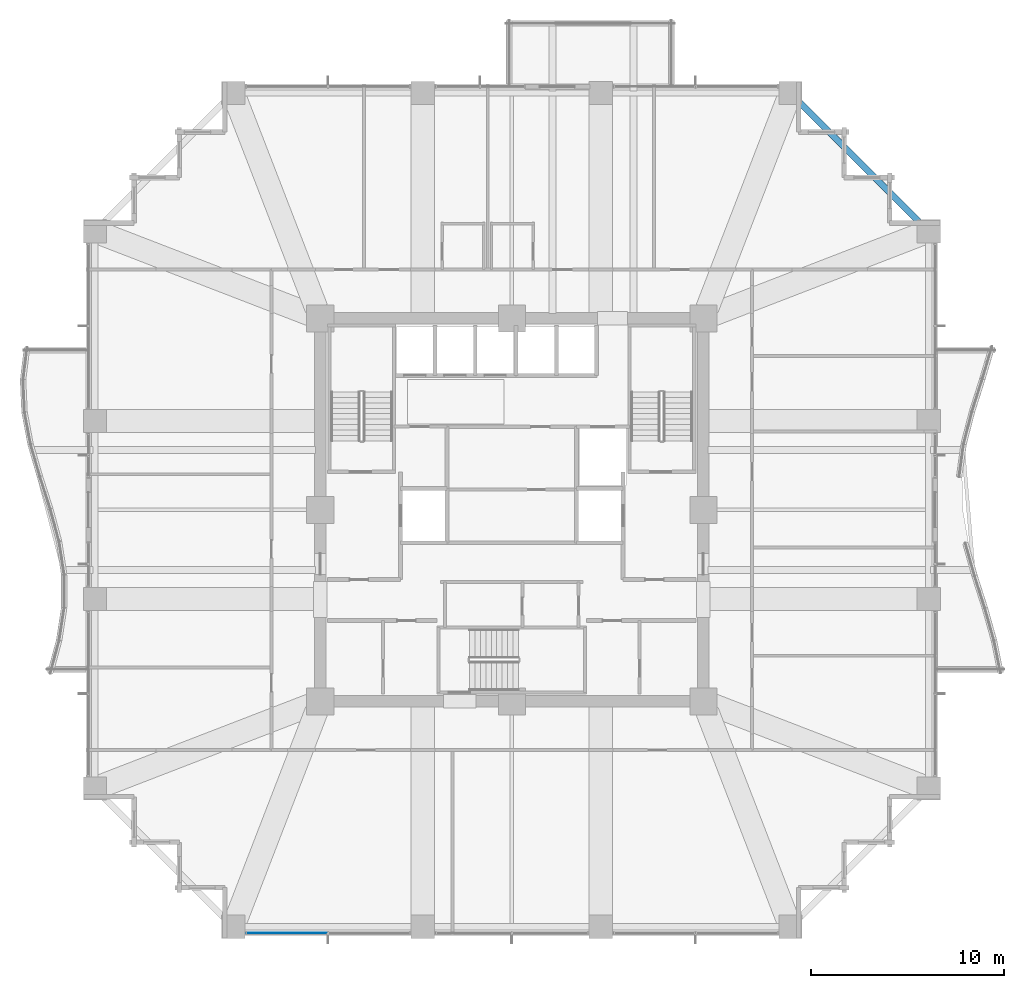
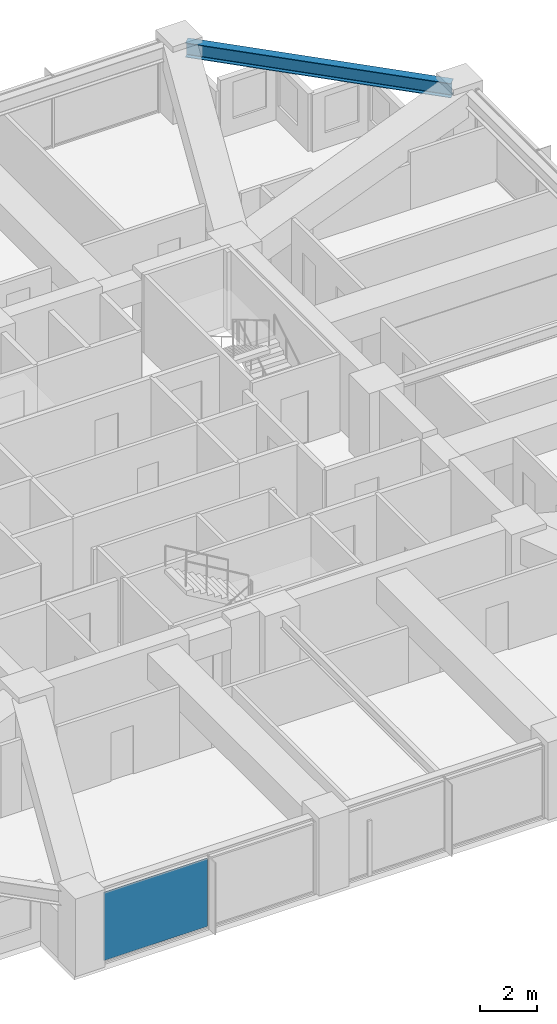
# One storey, part 27 of 39: 1 beam, 1 plate, 1 element without a shape of its own.
"""IFC4 building model written with IfcOpenShell, lengths in metres."""

import ifcopenshell
import ifcopenshell.guid

model = None  # the IFC model being written
_history = None  # IfcOwnerHistory: only IFC2X3 demands one
_inside = {}  # id of a spatial element -> (the spatial element, [elements in it])
_under = {}  # id of a project, library or spatial element -> (it, [spatial elements below it])
_declared = {}  # id of a project -> (the project, [libraries it declares])
_typed = {}  # id of a type object -> (the type object, [elements of that type])
_made_of = {}  # id of a material, layer set ... -> (it, [elements and type objects made of it])


def new_model(schema):
    """Start an empty IFC model of exactly this schema.

    Asked for "IFC4X3", IfcOpenShell would pick the latest addendum, in which some entities
    have other attributes; the version numbers below select the first issue.
    IFC2X3 requires an IfcOwnerHistory on every rooted entity: one is made here for all.
    """
    global model, _history
    if schema == "IFC4X3":
        model = ifcopenshell.file(schema_version=(4, 3, 0, 0))
    else:
        model = ifcopenshell.file(schema=schema)
    _inside.clear()
    _under.clear()
    _declared.clear()
    _typed.clear()
    _made_of.clear()
    _history = None
    if model.schema == "IFC2X3":
        org = make("IfcOrganization", Name="unknown")
        user = make(
            "IfcPersonAndOrganization",
            ThePerson=make("IfcPerson", FamilyName="unknown"),
            TheOrganization=org,
        )
        app = make(
            "IfcApplication",
            ApplicationDeveloper=org,
            Version="unknown",
            ApplicationFullName="unknown",
            ApplicationIdentifier="unknown",
        )
        _history = make(
            "IfcOwnerHistory",
            OwningUser=user,
            OwningApplication=app,
            ChangeAction="ADDED",
            CreationDate=0,
        )
    return model


def make(cls, **values):
    """One entity of the class cls with the attributes given. An attribute that is None is left unset."""
    return model.create_entity(
        cls, **{name: value for name, value in values.items() if value is not None}
    )


def rooted(cls, **values):
    """An entity with a GlobalId (a new one), such as an element, a storey or a relation."""
    return make(cls, GlobalId=ifcopenshell.guid.new(), OwnerHistory=_history, **values)


def si_unit(unit_type, name, prefix=None):
    """IfcSIUnit, for example si_unit("LENGTHUNIT", "METRE", prefix="MILLI")."""
    return make("IfcSIUnit", UnitType=unit_type, Prefix=prefix, Name=name)


def assignment(units):
    """IfcUnitAssignment: the units of a project."""
    return None if units is None else make("IfcUnitAssignment", Units=units)


def point(xyz):
    """IfcCartesianPoint."""
    return None if xyz is None else make("IfcCartesianPoint", Coordinates=xyz)


def direction(xyz):
    """IfcDirection."""
    return None if xyz is None else make("IfcDirection", DirectionRatios=xyz)


def frame(location, z_axis=None, x_axis=None):
    """IfcAxis2Placement3D, a coordinate frame: its origin and axes. An axis left out is left unset."""
    return make(
        "IfcAxis2Placement3D",
        Location=point(location),
        Axis=direction(z_axis),
        RefDirection=direction(x_axis),
    )


def frame_2d(location, x_axis=None):
    """IfcAxis2Placement2D, a coordinate frame in the plane: its origin and x axis."""
    return make(
        "IfcAxis2Placement2D", Location=point(location), RefDirection=direction(x_axis)
    )


def origin():
    """The frame at (0, 0, 0) with its axes left unset."""
    return frame((0.0, 0.0, 0.0))


def origin_2d():
    """The frame at (0, 0) in the plane with its x axis left unset."""
    return frame_2d((0.0, 0.0))


def place(relative_to, where):
    """IfcLocalPlacement: puts the frame where relative to a parent placement (None: the world)."""
    return make(
        "IfcLocalPlacement", PlacementRelTo=relative_to, RelativePlacement=where
    )


def context(
    kind, dimensions, precision=None, world=None, true_north=None, identifier=None
):
    """IfcGeometricRepresentationContext, for example the 3D "Model" context."""
    return make(
        "IfcGeometricRepresentationContext",
        ContextIdentifier=identifier,
        ContextType=kind,
        CoordinateSpaceDimension=dimensions,
        Precision=precision,
        WorldCoordinateSystem=world,
        TrueNorth=true_north,
    )


def subcontext(parent, identifier, kind, view, scale=None):
    """IfcGeometricRepresentationSubContext, for example "Body" below "Model"."""
    return make(
        "IfcGeometricRepresentationSubContext",
        ContextIdentifier=identifier,
        ContextType=kind,
        ParentContext=parent,
        TargetScale=scale,
        TargetView=view,
    )


def project(units=None, contexts=None):
    """IfcProject with its units and contexts."""
    return rooted(
        "IfcProject",
        Name="project",
        RepresentationContexts=contexts,
        UnitsInContext=assignment(units),
    )


def spatial(cls, under=None, at=None, **own):
    """A site, building, storey or space (cls), placed at a placement, below another one or the project."""
    s = rooted(cls, ObjectPlacement=at, **own)
    if under is not None:
        _under.setdefault(under.id(), (under, []))[1].append(s)
    return s


def profile(cls, at=None, kind="AREA", **sizes):
    """A parametric profile (cls). Its sizes go by their IFC names, for example OverallWidth=200.0."""
    return make(cls, ProfileType=kind, Position=at, **sizes)


def rectangle(**sizes):
    """IfcRectangleProfileDef."""
    return profile("IfcRectangleProfileDef", **sizes)


def i_section(**sizes):
    """IfcIShapeProfileDef."""
    return profile("IfcIShapeProfileDef", **sizes)


def extrude(swept, where, along, depth):
    """IfcExtrudedAreaSolid: the profile swept, set in the frame where, extruded along a direction by depth."""
    return make(
        "IfcExtrudedAreaSolid",
        SweptArea=swept,
        Position=where,
        ExtrudedDirection=direction(along),
        Depth=depth,
    )


def shape(context_of_items, identifier, shape_type, items):
    """IfcShapeRepresentation: the items that make up one representation, for example the "Body"."""
    return make(
        "IfcShapeRepresentation",
        ContextOfItems=context_of_items,
        RepresentationIdentifier=identifier,
        RepresentationType=shape_type,
        Items=items,
    )


def material(Name=None, Category=None):
    """IfcMaterial."""
    return make("IfcMaterial", Name=Name, Category=Category)


def layer(
    of_material, thickness, ventilated=None, Name=None, Category=None, Priority=None
):
    """IfcMaterialLayer: one layer of a wall or slab, of a material (None: an air gap)."""
    return make(
        "IfcMaterialLayer",
        Material=of_material,
        LayerThickness=thickness,
        IsVentilated=ventilated,
        Name=Name,
        Category=Category,
        Priority=Priority,
    )


def layer_set(layers, Name=None):
    """IfcMaterialLayerSet."""
    return make("IfcMaterialLayerSet", MaterialLayers=layers, LayerSetName=Name)


def material_profile(
    of_material, cross_section, Name=None, Category=None, Priority=None
):
    """IfcMaterialProfile: a cross section and its material."""
    return make(
        "IfcMaterialProfile",
        Name=Name,
        Material=of_material,
        Profile=cross_section,
        Priority=Priority,
        Category=Category,
    )


def profile_set(profiles, Name=None, composite=None):
    """IfcMaterialProfileSet."""
    return make(
        "IfcMaterialProfileSet",
        Name=Name,
        MaterialProfiles=profiles,
        CompositeProfile=composite,
    )


def made_of(thing, what):
    """Note that an element or type object is made of a material, layer set ...; save() writes the relation."""
    if what is not None:
        _made_of.setdefault(what.id(), (what, []))[1].append(thing)
    return thing


def type_object(cls, material=None, **own):
    """A type object (cls), such as IfcWallType, which elements share."""
    return made_of(rooted(cls, **own), material)


def element(
    cls,
    number,
    at=None,
    inside=None,
    cuts=None,
    type_object=None,
    material=None,
    context=None,
    identifier="Body",
    shape_type=None,
    held_by="IfcProductDefinitionShape",
    body=None,
    shapes=None,
    **own,
):
    """One element of the class cls, such as IfcWall. Its Tag is "e" and its number.

    at: its placement. inside: the storey or other place that contains it. cuts: it is an
    opening in that element (IfcRelVoidsElement). A single representation is given by context,
    identifier, shape_type and body (its items); several are given by shapes. held_by: the class
    of the entity that holds the representations. save() writes the other relations.
    """
    e = rooted(cls, Tag="e%d" % number, ObjectPlacement=at, **own)
    if body is not None:
        shapes = [shape(context, identifier, shape_type, body)]
    if shapes is not None:
        e.Representation = make(held_by, Representations=shapes)
    if inside is not None:
        _inside.setdefault(inside.id(), (inside, []))[1].append(e)
    if cuts is not None:
        rooted(
            "IfcRelVoidsElement", RelatingBuildingElement=cuts, RelatedOpeningElement=e
        )
    if type_object is not None:
        _typed.setdefault(type_object.id(), (type_object, []))[1].append(e)
    return made_of(e, material)


def aggregate(whole, parts):
    """IfcRelAggregates: a whole, such as a stair, and the parts it consists of."""
    return rooted("IfcRelAggregates", RelatingObject=whole, RelatedObjects=parts)


def save(model, path):
    """Write the relations noted so far, then the file.

    IfcRelAggregates (storeys below a building ...), IfcRelContainedInSpatialStructure (elements
    in a storey), IfcRelDefinesByType, IfcRelAssociatesMaterial and IfcRelDeclares: one each for
    every whole, place, type object, material and project.
    """
    for whole, parts in _under.values():
        aggregate(whole, parts)
    for where, things in _inside.values():
        rooted(
            "IfcRelContainedInSpatialStructure",
            RelatedElements=things,
            RelatingStructure=where,
        )
    for kind, things in _typed.values():
        rooted("IfcRelDefinesByType", RelatedObjects=things, RelatingType=kind)
    for what, things in _made_of.values():
        rooted("IfcRelAssociatesMaterial", RelatedObjects=things, RelatingMaterial=what)
    for by, libraries in _declared.values():
        rooted("IfcRelDeclares", RelatingContext=by, RelatedDefinitions=libraries)
    model.write(path)


model = new_model("IFC4")

# Units and contexts
model_context = context("Model", 3, precision=1e-05, world=origin(), true_north=direction((0.0, 1.0)))
body_context = subcontext(model_context, "Body", "Model", "MODEL_VIEW")
ifc_project = project(units=[si_unit("LENGTHUNIT", "METRE"), si_unit("AREAUNIT", "SQUARE_METRE"), si_unit("VOLUMEUNIT", "CUBIC_METRE"), si_unit("PLANEANGLEUNIT", "RADIAN"), si_unit("MASSUNIT", "GRAM", prefix="KILO")], contexts=[model_context])

# Site, building, storey
site_placement = place(None, origin())
site = spatial("IfcSite", under=ifc_project, at=site_placement, CompositionType="ELEMENT")
building_placement = place(site_placement, origin())
building = spatial("IfcBuilding", under=site, at=building_placement, Name="Kolvaren Belvedere", CompositionType="ELEMENT")
storey_placement = place(building_placement, frame((0.0, 0.0, 33.699951171875)))
storey = spatial("IfcBuildingStorey", under=building, at=storey_placement, Name="L09", CompositionType="ELEMENT", Elevation=33.699951171875)

# Beam
ifc_material_1 = material(Name="Structural steel ASTM A992 Grade 50", Category="steel")
ifc_material_profile = material_profile(ifc_material_1, i_section(OverallWidth=0.324951171875, OverallDepth=0.615966796875, WebThickness=0.013916015625, FlangeThickness=0.021484375, FilletRadius=0.02001953125, at=origin_2d()), Name="W24X117")
ifc_profile_set = profile_set([ifc_material_profile], Name="Structural steel ASTM A992 Grade 50")
beam_type = type_object("IfcBeamType", Name="BM-SPAN-W24X117", PredefinedType="SPANDREL", material=ifc_profile_set)
beam_placement = place(storey_placement, frame((21.359130859375, 14.5908203125, 2.751953125), z_axis=(-0.707106781187, 0.707106781187, 0.0), x_axis=(-0.707106781187, -0.707106781187, 0.0)))
element("IfcBeam", 1, at=beam_placement, inside=storey, type_object=beam_type, Name="L09 Perimeter Spandrel E4-N4", PredefinedType="SPANDREL", context=body_context, shape_type="SweptSolid", body=[
    extrude(i_section(OverallWidth=0.324951171875, OverallDepth=0.615966796875, WebThickness=0.013916015625, FlangeThickness=0.021484375, FilletRadius=0.02001953125, at=origin_2d()), origin(), (0.0, 0.0, 1.0), 9.57177734375),
])

# Curtain wall, plate
ifc_material_2 = material(Name="Anodised pale-metal aluminium AA 6063-T6", Category="aluminium")
curtain_wall_type = type_object("IfcCurtainWallType", Name="CW-Z1-LOW", PredefinedType="NOTDEFINED", material=ifc_material_2)
curtain_wall_placement = place(storey_placement, origin())
curtain_wall = element("IfcCurtainWall", 2, at=curtain_wall_placement, inside=storey, type_object=curtain_wall_type, Name="L09 Unitised Curtain Wall FCW-L09-S-B3", PredefinedType="NOTDEFINED")
ifc_material_3 = material(Name="Low-iron triple insulated glass", Category="glass")
ifc_layer = layer(ifc_material_3, 0.028076171875)
ifc_layer_set = layer_set([ifc_layer], Name="Low-iron triple insulated glass")
plate_type = type_object("IfcPlateType", Name="CW-PNL-VIS28", PredefinedType="CURTAIN_PANEL", material=ifc_layer_set)
plate_placement = place(storey_placement, frame((-11.62255859375, -21.8798828125, 0.080078125), z_axis=(0.0, 0.0, 1.0), x_axis=(-1.0, 0.0, 0.0)))
plate = element("IfcPlate", 3, at=plate_placement, type_object=plate_type, Name="FCW-L09-S-B3 Vision Glazing Panel 2", PredefinedType="CURTAIN_PANEL", context=body_context, shape_type="SweptSolid", body=[
    extrude(rectangle(XDim=4.1650390625, YDim=0.028076171875, at=origin_2d()), origin(), (0.0, 0.0, 1.0), 2.89990234375),
])
aggregate(curtain_wall, [plate])

save(model, "model.ifc")
